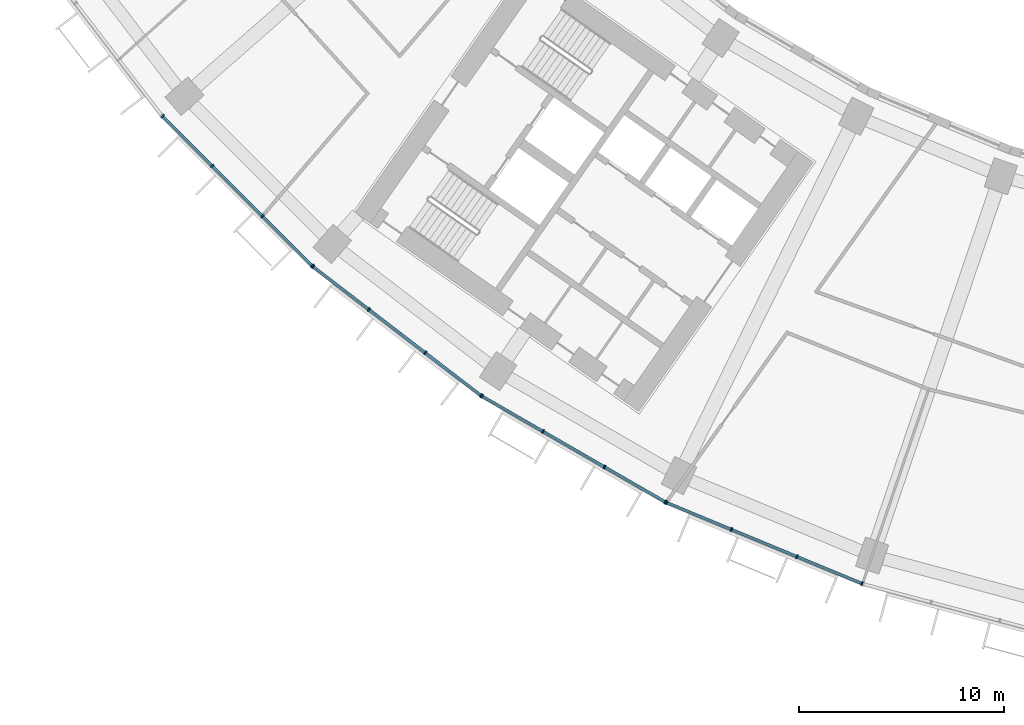
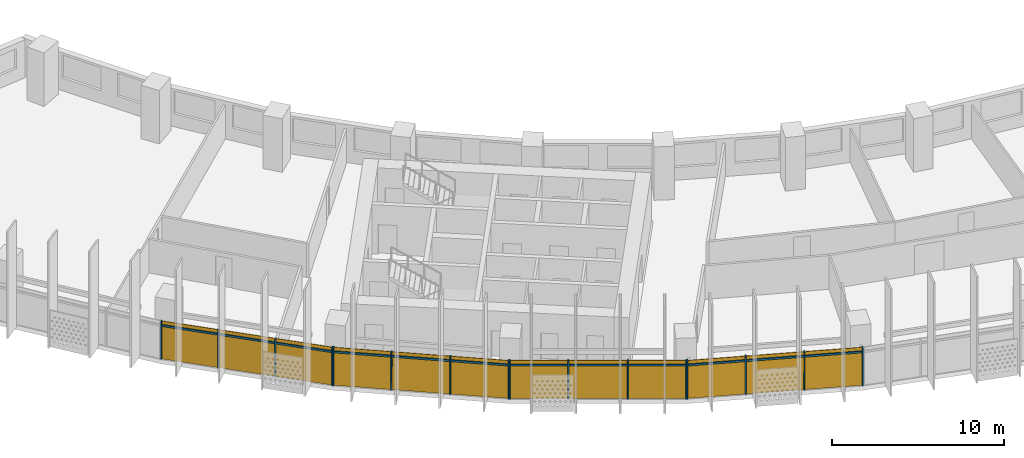
# One storey, part 19 of 30: 28 members, 4 curtain walls.
"""IFC4 building model written with IfcOpenShell, lengths in metres."""

from ifc_helpers import new_model, si_unit, direction, frame, origin, origin_2d, place, context, subcontext, project, spatial, rectangle, extrude, material, material_profile, profile_set, type_object, element, aggregate, save


model = new_model("IFC4")

# Units and contexts
model_context = context("Model", 3, precision=1e-05, world=origin(), true_north=direction((0.0, 1.0)))
body_context = subcontext(model_context, "Body", "Model", "MODEL_VIEW")
ifc_project = project(units=[si_unit("LENGTHUNIT", "METRE"), si_unit("AREAUNIT", "SQUARE_METRE"), si_unit("VOLUMEUNIT", "CUBIC_METRE"), si_unit("PLANEANGLEUNIT", "RADIAN"), si_unit("MASSUNIT", "GRAM", prefix="KILO")], contexts=[model_context])

# Member
ifc_material = material(Name="Aluminium 6063-T6 anodised", Category="aluminium")
ifc_material_profile_1 = material_profile(ifc_material, rectangle(XDim=0.199951171875, YDim=0.070068359375, at=origin_2d()))
ifc_profile_set_1 = profile_set([ifc_material_profile_1], Name="Aluminium 6063-T6 anodised")
member_type_1 = type_object("IfcMemberType", Name="Mullion 70 x 200 aluminium", PredefinedType="MULLION", material=ifc_profile_set_1)
site_placement = place(None, origin())
building_placement = place(site_placement, origin())
storey_placement = place(building_placement, frame((0.0, 0.0, 125.300048828125)))
member_1_placement = place(storey_placement, frame((-59.525390625, -52.240234375, 0.0), z_axis=(0.0, 0.0, 1.0), x_axis=(0.707106781187, 0.707106781187, 0.0)))
member_1 = element("IfcMember", 1, at=member_1_placement, type_object=member_type_1, Name="e-cw1-L28-out03/M00", PredefinedType="MULLION", context=body_context, shape_type="SweptSolid", body=[
    extrude(rectangle(XDim=0.199951171875, YDim=0.070068359375, at=origin_2d()), origin(), (0.0, 0.0, 1.0), 2.699951171875),
])

member_2_placement = place(storey_placement, frame((-57.105224609375, -54.660400390625, 0.0), z_axis=(0.0, 0.0, 1.0), x_axis=(0.707106781187, 0.707106781187, 0.0)))
member_2 = element("IfcMember", 2, at=member_2_placement, type_object=member_type_1, Name="e-cw1-L28-out03/M01", PredefinedType="MULLION", context=body_context, shape_type="SweptSolid", body=[
    extrude(rectangle(XDim=0.199951171875, YDim=0.070068359375, at=origin_2d()), origin(), (0.0, 0.0, 1.0), 2.699951171875),
])

member_3_placement = place(storey_placement, frame((-54.660400390625, -57.105224609375, 0.0), z_axis=(0.0, 0.0, 1.0), x_axis=(0.707106781187, 0.707106781187, 0.0)))
member_3 = element("IfcMember", 3, at=member_3_placement, type_object=member_type_1, Name="e-cw1-L28-out03/M02", PredefinedType="MULLION", context=body_context, shape_type="SweptSolid", body=[
    extrude(rectangle(XDim=0.199951171875, YDim=0.070068359375, at=origin_2d()), origin(), (0.0, 0.0, 1.0), 2.699951171875),
])

member_4_placement = place(storey_placement, frame((-52.240234375, -59.525390625, 0.0), z_axis=(0.0, 0.0, 1.0), x_axis=(0.707106781187, 0.707106781187, 0.0)))
member_4 = element("IfcMember", 4, at=member_4_placement, type_object=member_type_1, Name="e-cw1-L28-out03/M03", PredefinedType="MULLION", context=body_context, shape_type="SweptSolid", body=[
    extrude(rectangle(XDim=0.199951171875, YDim=0.070068359375, at=origin_2d()), origin(), (0.0, 0.0, 1.0), 2.699951171875),
])

member_5_placement = place(storey_placement, frame((-52.197509765625, -59.56298828125, 0.0), z_axis=(0.0, 0.0, 1.0), x_axis=(0.608761429009, 0.793353340291, 0.0)))
member_5 = element("IfcMember", 5, at=member_5_placement, type_object=member_type_1, Name="e-cw1-L28-out04/M00", PredefinedType="MULLION", context=body_context, shape_type="SweptSolid", body=[
    extrude(rectangle(XDim=0.199951171875, YDim=0.070068359375, at=origin_2d()), origin(), (0.0, 0.0, 1.0), 2.699951171875),
])

member_6_placement = place(storey_placement, frame((-49.482177734375, -61.646484375, 0.0), z_axis=(0.0, 0.0, 1.0), x_axis=(0.608761429009, 0.793353340291, 0.0)))
member_6 = element("IfcMember", 6, at=member_6_placement, type_object=member_type_1, Name="e-cw1-L28-out04/M01", PredefinedType="MULLION", context=body_context, shape_type="SweptSolid", body=[
    extrude(rectangle(XDim=0.199951171875, YDim=0.070068359375, at=origin_2d()), origin(), (0.0, 0.0, 1.0), 2.699951171875),
])

member_7_placement = place(storey_placement, frame((-46.739013671875, -63.751220703125, 0.0), z_axis=(0.0, 0.0, 1.0), x_axis=(0.608761429009, 0.793353340291, 0.0)))
member_7 = element("IfcMember", 7, at=member_7_placement, type_object=member_type_1, Name="e-cw1-L28-out04/M02", PredefinedType="MULLION", context=body_context, shape_type="SweptSolid", body=[
    extrude(rectangle(XDim=0.199951171875, YDim=0.070068359375, at=origin_2d()), origin(), (0.0, 0.0, 1.0), 2.699951171875),
])

member_8_placement = place(storey_placement, frame((-44.023681640625, -65.8349609375, 0.0), z_axis=(0.0, 0.0, 1.0), x_axis=(0.608761429009, 0.793353340291, 0.0)))
member_8 = element("IfcMember", 8, at=member_8_placement, type_object=member_type_1, Name="e-cw1-L28-out04/M03", PredefinedType="MULLION", context=body_context, shape_type="SweptSolid", body=[
    extrude(rectangle(XDim=0.199951171875, YDim=0.070068359375, at=origin_2d()), origin(), (0.0, 0.0, 1.0), 2.699951171875),
])

member_9_placement = place(storey_placement, frame((-43.976318359375, -65.866455078125, 0.0), z_axis=(0.0, 0.0, 1.0), x_axis=(0.5, 0.866025403784, 0.0)))
member_9 = element("IfcMember", 9, at=member_9_placement, type_object=member_type_1, Name="e-cw1-L28-out05/M00", PredefinedType="MULLION", context=body_context, shape_type="SweptSolid", body=[
    extrude(rectangle(XDim=0.199951171875, YDim=0.070068359375, at=origin_2d()), origin(), (0.0, 0.0, 1.0), 2.699951171875),
])

member_10_placement = place(storey_placement, frame((-41.01220703125, -67.577880859375, 0.0), z_axis=(0.0, 0.0, 1.0), x_axis=(0.5, 0.866025403784, 0.0)))
member_10 = element("IfcMember", 10, at=member_10_placement, type_object=member_type_1, Name="e-cw1-L28-out05/M01", PredefinedType="MULLION", context=body_context, shape_type="SweptSolid", body=[
    extrude(rectangle(XDim=0.199951171875, YDim=0.070068359375, at=origin_2d()), origin(), (0.0, 0.0, 1.0), 2.699951171875),
])

member_11_placement = place(storey_placement, frame((-38.017822265625, -69.306640625, 0.0), z_axis=(0.0, 0.0, 1.0), x_axis=(0.5, 0.866025403784, 0.0)))
member_11 = element("IfcMember", 11, at=member_11_placement, type_object=member_type_1, Name="e-cw1-L28-out05/M02", PredefinedType="MULLION", context=body_context, shape_type="SweptSolid", body=[
    extrude(rectangle(XDim=0.199951171875, YDim=0.070068359375, at=origin_2d()), origin(), (0.0, 0.0, 1.0), 2.699951171875),
])

member_12_placement = place(storey_placement, frame((-35.0537109375, -71.017822265625, 0.0), z_axis=(0.0, 0.0, 1.0), x_axis=(0.5, 0.866025403784, 0.0)))
member_12 = element("IfcMember", 12, at=member_12_placement, type_object=member_type_1, Name="e-cw1-L28-out05/M03", PredefinedType="MULLION", context=body_context, shape_type="SweptSolid", body=[
    extrude(rectangle(XDim=0.199951171875, YDim=0.070068359375, at=origin_2d()), origin(), (0.0, 0.0, 1.0), 2.699951171875),
])

member_13_placement = place(storey_placement, frame((-35.0029296875, -71.04296875, 0.0), z_axis=(0.0, 0.0, 1.0), x_axis=(0.382683432365, 0.923879532511, 0.0)))
member_13 = element("IfcMember", 13, at=member_13_placement, type_object=member_type_1, Name="e-cw1-L28-out06/M00", PredefinedType="MULLION", context=body_context, shape_type="SweptSolid", body=[
    extrude(rectangle(XDim=0.199951171875, YDim=0.070068359375, at=origin_2d()), origin(), (0.0, 0.0, 1.0), 2.699951171875),
])

member_14_placement = place(storey_placement, frame((-31.8408203125, -72.352783203125, 0.0), z_axis=(0.0, 0.0, 1.0), x_axis=(0.382683432365, 0.923879532511, 0.0)))
member_14 = element("IfcMember", 14, at=member_14_placement, type_object=member_type_1, Name="e-cw1-L28-out06/M01", PredefinedType="MULLION", context=body_context, shape_type="SweptSolid", body=[
    extrude(rectangle(XDim=0.199951171875, YDim=0.070068359375, at=origin_2d()), origin(), (0.0, 0.0, 1.0), 2.699951171875),
])

member_15_placement = place(storey_placement, frame((-28.646240234375, -73.676025390625, 0.0), z_axis=(0.0, 0.0, 1.0), x_axis=(0.382683432365, 0.923879532511, 0.0)))
member_15 = element("IfcMember", 15, at=member_15_placement, type_object=member_type_1, Name="e-cw1-L28-out06/M02", PredefinedType="MULLION", context=body_context, shape_type="SweptSolid", body=[
    extrude(rectangle(XDim=0.199951171875, YDim=0.070068359375, at=origin_2d()), origin(), (0.0, 0.0, 1.0), 2.699951171875),
])

member_16_placement = place(storey_placement, frame((-25.484130859375, -74.98583984375, 0.0), z_axis=(0.0, 0.0, 1.0), x_axis=(0.382683432365, 0.923879532511, 0.0)))
member_16 = element("IfcMember", 16, at=member_16_placement, type_object=member_type_1, Name="e-cw1-L28-out06/M03", PredefinedType="MULLION", context=body_context, shape_type="SweptSolid", body=[
    extrude(rectangle(XDim=0.199951171875, YDim=0.070068359375, at=origin_2d()), origin(), (0.0, 0.0, 1.0), 2.699951171875),
])

ifc_material_profile_2 = material_profile(ifc_material, rectangle(XDim=0.139892578125, YDim=0.1201171875, at=origin_2d()))
ifc_profile_set_2 = profile_set([ifc_material_profile_2], Name="Aluminium 6063-T6 anodised")
member_type_2 = type_object("IfcMemberType", Name="Transom 120 x 140 aluminium", PredefinedType="USERDEFINED", material=ifc_profile_set_2)
member_17_placement = place(storey_placement, frame((-59.500732421875, -52.264892578125, 2.39990234375), z_axis=(0.707106781187, -0.707106781187, 0.0), x_axis=(0.707106781187, 0.707106781187, 0.0)))
member_17 = element("IfcMember", 17, at=member_17_placement, type_object=member_type_2, Name="e-cw1-L28-out03/T00", ObjectType="TRANSOM", PredefinedType="USERDEFINED", context=body_context, shape_type="SweptSolid", body=[
    extrude(rectangle(XDim=0.139892578125, YDim=0.1201171875, at=origin_2d()), origin(), (0.0, 0.0, 1.0), 3.3525390625),
])

member_18_placement = place(storey_placement, frame((-57.08056640625, -54.68505859375, 2.39990234375), z_axis=(0.707106781187, -0.707106781187, 0.0), x_axis=(0.707106781187, 0.707106781187, 0.0)))
member_18 = element("IfcMember", 18, at=member_18_placement, type_object=member_type_2, Name="e-cw1-L28-out03/T01", ObjectType="TRANSOM", PredefinedType="USERDEFINED", context=body_context, shape_type="SweptSolid", body=[
    extrude(rectangle(XDim=0.139892578125, YDim=0.1201171875, at=origin_2d()), origin(), (0.0, 0.0, 1.0), 3.3876953125),
])

member_19_placement = place(storey_placement, frame((-54.635498046875, -57.130126953125, 2.39990234375), z_axis=(0.707106781187, -0.707106781187, 0.0), x_axis=(0.707106781187, 0.707106781187, 0.0)))
member_19 = element("IfcMember", 19, at=member_19_placement, type_object=member_type_2, Name="e-cw1-L28-out03/T02", ObjectType="TRANSOM", PredefinedType="USERDEFINED", context=body_context, shape_type="SweptSolid", body=[
    extrude(rectangle(XDim=0.139892578125, YDim=0.1201171875, at=origin_2d()), origin(), (0.0, 0.0, 1.0), 3.3525390625),
])

member_20_placement = place(storey_placement, frame((-52.169677734375, -59.584228515625, 2.39990234375), z_axis=(0.793354308621, -0.608760167055, 0.0), x_axis=(0.608760167055, 0.793354308621, 0.0)))
member_20 = element("IfcMember", 20, at=member_20_placement, type_object=member_type_2, Name="e-cw1-L28-out04/T00", ObjectType="TRANSOM", PredefinedType="USERDEFINED", context=body_context, shape_type="SweptSolid", body=[
    extrude(rectangle(XDim=0.139892578125, YDim=0.1201171875, at=origin_2d()), origin(), (0.0, 0.0, 1.0), 3.352783203125),
])

member_21_placement = place(storey_placement, frame((-49.454345703125, -61.667724609375, 2.39990234375), z_axis=(0.793344133173, -0.608773427772, 0.0), x_axis=(0.608773427772, 0.793344133173, 0.0)))
member_21 = element("IfcMember", 21, at=member_21_placement, type_object=member_type_2, Name="e-cw1-L28-out04/T01", ObjectType="TRANSOM", PredefinedType="USERDEFINED", context=body_context, shape_type="SweptSolid", body=[
    extrude(rectangle(XDim=0.139892578125, YDim=0.1201171875, at=origin_2d()), origin(), (0.0, 0.0, 1.0), 3.387451171875),
])

member_22_placement = place(storey_placement, frame((-46.711181640625, -63.772705078125, 2.39990234375), z_axis=(0.793389477316, -0.608714331426, 0.0), x_axis=(0.608714331426, 0.793389477316, 0.0)))
member_22 = element("IfcMember", 22, at=member_22_placement, type_object=member_type_2, Name="e-cw1-L28-out04/T02", ObjectType="TRANSOM", PredefinedType="USERDEFINED", context=body_context, shape_type="SweptSolid", body=[
    extrude(rectangle(XDim=0.139892578125, YDim=0.1201171875, at=origin_2d()), origin(), (0.0, 0.0, 1.0), 3.3525390625),
])

member_23_placement = place(storey_placement, frame((-43.946044921875, -65.884033203125, 2.39990234375), z_axis=(0.866020654818, -0.50000822536, 0.0), x_axis=(0.50000822536, 0.866020654818, 0.0)))
member_23 = element("IfcMember", 23, at=member_23_placement, type_object=member_type_2, Name="e-cw1-L28-out05/T00", ObjectType="TRANSOM", PredefinedType="USERDEFINED", context=body_context, shape_type="SweptSolid", body=[
    extrude(rectangle(XDim=0.139892578125, YDim=0.1201171875, at=origin_2d()), origin(), (0.0, 0.0, 1.0), 3.3525390625),
])

member_24_placement = place(storey_placement, frame((-40.98193359375, -67.59521484375, 2.39990234375), z_axis=(0.866025971257, -0.499999017107, 0.0), x_axis=(0.499999017107, 0.866025971257, 0.0)))
member_24 = element("IfcMember", 24, at=member_24_placement, type_object=member_type_2, Name="e-cw1-L28-out05/T01", ObjectType="TRANSOM", PredefinedType="USERDEFINED", context=body_context, shape_type="SweptSolid", body=[
    extrude(rectangle(XDim=0.139892578125, YDim=0.1201171875, at=origin_2d()), origin(), (0.0, 0.0, 1.0), 3.3876953125),
])

member_25_placement = place(storey_placement, frame((-37.987548828125, -69.323974609375, 2.39990234375), z_axis=(0.865989120267, -0.50006283963, 0.0), x_axis=(0.50006283963, 0.865989120267, 0.0)))
member_25 = element("IfcMember", 25, at=member_25_placement, type_object=member_type_2, Name="e-cw1-L28-out05/T02", ObjectType="TRANSOM", PredefinedType="USERDEFINED", context=body_context, shape_type="SweptSolid", body=[
    extrude(rectangle(XDim=0.139892578125, YDim=0.1201171875, at=origin_2d()), origin(), (0.0, 0.0, 1.0), 3.3525390625),
])

member_26_placement = place(storey_placement, frame((-34.970458984375, -71.056396484375, 2.39990234375), z_axis=(0.923882814237, -0.382675509483, 0.0), x_axis=(0.382675509483, 0.923882814237, 0.0)))
member_26 = element("IfcMember", 26, at=member_26_placement, type_object=member_type_2, Name="e-cw1-L28-out06/T00", ObjectType="TRANSOM", PredefinedType="USERDEFINED", context=body_context, shape_type="SweptSolid", body=[
    extrude(rectangle(XDim=0.139892578125, YDim=0.1201171875, at=origin_2d()), origin(), (0.0, 0.0, 1.0), 3.3525390625),
])

member_27_placement = place(storey_placement, frame((-31.808349609375, -72.3662109375, 2.39990234375), z_axis=(0.923874529423, -0.382695510666, 0.0), x_axis=(0.382695510666, 0.923874529423, 0.0)))
member_27 = element("IfcMember", 27, at=member_27_placement, type_object=member_type_2, Name="e-cw1-L28-out06/T01", ObjectType="TRANSOM", PredefinedType="USERDEFINED", context=body_context, shape_type="SweptSolid", body=[
    extrude(rectangle(XDim=0.139892578125, YDim=0.1201171875, at=origin_2d()), origin(), (0.0, 0.0, 1.0), 3.387451171875),
])

member_28_placement = place(storey_placement, frame((-28.614013671875, -73.689453125, 2.39990234375), z_axis=(0.923882814237, -0.382675509483, 0.0), x_axis=(0.382675509483, 0.923882814237, 0.0)))
member_28 = element("IfcMember", 28, at=member_28_placement, type_object=member_type_2, Name="e-cw1-L28-out06/T02", ObjectType="TRANSOM", PredefinedType="USERDEFINED", context=body_context, shape_type="SweptSolid", body=[
    extrude(rectangle(XDim=0.139892578125, YDim=0.1201171875, at=origin_2d()), origin(), (0.0, 0.0, 1.0), 3.3525390625),
])

# Site, building, storey
site = spatial("IfcSite", under=ifc_project, at=site_placement, CompositionType="ELEMENT")
building = spatial("IfcBuilding", under=site, at=building_placement, Name="Qamariyya Broadcast Tower", CompositionType="ELEMENT")
storey = spatial("IfcBuildingStorey", under=building, at=storey_placement, Name="L28", CompositionType="ELEMENT", Elevation=125.300048828125)

# Curtain wall
curtain_wall_type = type_object("IfcCurtainWallType", Name="Unitised curtain wall, anodised aluminium", PredefinedType="NOTDEFINED", material=ifc_material)
curtain_wall_1_placement = place(storey_placement, origin())
curtain_wall_1 = element("IfcCurtainWall", 29, at=curtain_wall_1_placement, inside=storey, type_object=curtain_wall_type, Name="e-cw1-L28-out03", PredefinedType="NOTDEFINED", context=body_context, shape_type="SweptSolid", body=[
    extrude(rectangle(XDim=3.352783203125, YDim=0.031982421875, at=origin_2d()), frame((-58.3154296875, -53.4501953125, 0.0), x_axis=(0.707106781187, -0.707106781187, 0.0)), (0.0, 0.0, 1.0), 2.340087890625),
    extrude(rectangle(XDim=3.352783203125, YDim=0.031982421875, at=origin_2d()), frame((-58.3154296875, -53.4501953125, 2.4599609375), x_axis=(0.707106781187, -0.707106781187, 0.0)), (0.0, 0.0, 1.0), 0.239990234375),
    extrude(rectangle(XDim=3.3876953125, YDim=0.031982421875, at=origin_2d()), frame((-55.8828125, -55.8828125, 0.0), x_axis=(0.707106781187, -0.707106781187, 0.0)), (0.0, 0.0, 1.0), 2.340087890625),
    extrude(rectangle(XDim=3.3876953125, YDim=0.031982421875, at=origin_2d()), frame((-55.8828125, -55.8828125, 2.4599609375), x_axis=(0.707106781187, -0.707106781187, 0.0)), (0.0, 0.0, 1.0), 0.239990234375),
    extrude(rectangle(XDim=3.352783203125, YDim=0.031982421875, at=origin_2d()), frame((-53.4501953125, -58.3154296875, 0.0), x_axis=(0.707106781187, -0.707106781187, 0.0)), (0.0, 0.0, 1.0), 2.340087890625),
    extrude(rectangle(XDim=3.352783203125, YDim=0.031982421875, at=origin_2d()), frame((-53.4501953125, -58.3154296875, 2.4599609375), x_axis=(0.707106781187, -0.707106781187, 0.0)), (0.0, 0.0, 1.0), 0.239990234375),
])

aggregate(curtain_wall_1, [member_1, member_2, member_3, member_4, member_17, member_18, member_19])

curtain_wall_2_placement = place(storey_placement, origin())
curtain_wall_2 = element("IfcCurtainWall", 30, at=curtain_wall_2_placement, inside=storey, type_object=curtain_wall_type, Name="e-cw1-L28-out04", PredefinedType="NOTDEFINED", context=body_context, shape_type="SweptSolid", body=[
    extrude(rectangle(XDim=3.352783203125, YDim=0.031982421875, at=origin_2d()), frame((-50.83984375, -60.6044921875, 0.0), x_axis=(0.793354000839, -0.608760568165, 0.0)), (0.0, 0.0, 1.0), 2.340087890625),
    extrude(rectangle(XDim=3.352783203125, YDim=0.031982421875, at=origin_2d()), frame((-50.83984375, -60.6044921875, 2.4599609375), x_axis=(0.793354000839, -0.608760568165, 0.0)), (0.0, 0.0, 1.0), 0.239990234375),
    extrude(rectangle(XDim=3.3876953125, YDim=0.031982421875, at=origin_2d()), frame((-48.110595703125, -62.69873046875, 0.0), x_axis=(0.793354000839, -0.608760568165, 0.0)), (0.0, 0.0, 1.0), 2.340087890625),
    extrude(rectangle(XDim=3.3876953125, YDim=0.031982421875, at=origin_2d()), frame((-48.110595703125, -62.69873046875, 2.4599609375), x_axis=(0.793354000839, -0.608760568165, 0.0)), (0.0, 0.0, 1.0), 0.239990234375),
    extrude(rectangle(XDim=3.352783203125, YDim=0.031982421875, at=origin_2d()), frame((-45.38134765625, -64.793212890625, 0.0), x_axis=(0.793354000839, -0.608760568165, 0.0)), (0.0, 0.0, 1.0), 2.340087890625),
    extrude(rectangle(XDim=3.352783203125, YDim=0.031982421875, at=origin_2d()), frame((-45.38134765625, -64.793212890625, 2.4599609375), x_axis=(0.793354000839, -0.608760568165, 0.0)), (0.0, 0.0, 1.0), 0.239990234375),
])

aggregate(curtain_wall_2, [member_5, member_6, member_7, member_8, member_20, member_21, member_22])

curtain_wall_3_placement = place(storey_placement, origin())
curtain_wall_3 = element("IfcCurtainWall", 31, at=curtain_wall_3_placement, inside=storey, type_object=curtain_wall_type, Name="e-cw1-L28-out05", PredefinedType="NOTDEFINED", context=body_context, shape_type="SweptSolid", body=[
    extrude(rectangle(XDim=3.352783203125, YDim=0.031982421875, at=origin_2d()), frame((-42.494384765625, -66.72216796875, 0.0), x_axis=(0.866027243369, -0.499996813733, 0.0)), (0.0, 0.0, 1.0), 2.340087890625),
    extrude(rectangle(XDim=3.352783203125, YDim=0.031982421875, at=origin_2d()), frame((-42.494384765625, -66.72216796875, 2.4599609375), x_axis=(0.866027243369, -0.499996813733, 0.0)), (0.0, 0.0, 1.0), 0.239990234375),
    extrude(rectangle(XDim=3.3876953125, YDim=0.031982421875, at=origin_2d()), frame((-39.51513671875, -68.442138671875, 0.0), x_axis=(0.866027243369, -0.499996813733, 0.0)), (0.0, 0.0, 1.0), 2.340087890625),
    extrude(rectangle(XDim=3.3876953125, YDim=0.031982421875, at=origin_2d()), frame((-39.51513671875, -68.442138671875, 2.4599609375), x_axis=(0.866027243369, -0.499996813733, 0.0)), (0.0, 0.0, 1.0), 0.239990234375),
    extrude(rectangle(XDim=3.352783203125, YDim=0.031982421875, at=origin_2d()), frame((-36.535888671875, -70.162109375, 0.0), x_axis=(0.866027243369, -0.499996813733, 0.0)), (0.0, 0.0, 1.0), 2.340087890625),
    extrude(rectangle(XDim=3.352783203125, YDim=0.031982421875, at=origin_2d()), frame((-36.535888671875, -70.162109375, 2.4599609375), x_axis=(0.866027243369, -0.499996813733, 0.0)), (0.0, 0.0, 1.0), 0.239990234375),
])

aggregate(curtain_wall_3, [member_9, member_10, member_11, member_12, member_23, member_24, member_25])

curtain_wall_4_placement = place(storey_placement, origin())
curtain_wall_4 = element("IfcCurtainWall", 32, at=curtain_wall_4_placement, inside=storey, type_object=curtain_wall_type, Name="e-cw1-L28-out06", PredefinedType="NOTDEFINED", context=body_context, shape_type="SweptSolid", body=[
    extrude(rectangle(XDim=3.3525390625, YDim=0.031982421875, at=origin_2d()), frame((-33.421875, -71.69775390625, 0.0), x_axis=(0.923872250857, -0.382701011361, 0.0)), (0.0, 0.0, 1.0), 2.340087890625),
    extrude(rectangle(XDim=3.3525390625, YDim=0.031982421875, at=origin_2d()), frame((-33.421875, -71.69775390625, 2.4599609375), x_axis=(0.923872250857, -0.382701011361, 0.0)), (0.0, 0.0, 1.0), 0.239990234375),
    extrude(rectangle(XDim=3.3876953125, YDim=0.031982421875, at=origin_2d()), frame((-30.24365234375, -73.014404296875, 0.0), x_axis=(0.923872250857, -0.382701011361, 0.0)), (0.0, 0.0, 1.0), 2.340087890625),
    extrude(rectangle(XDim=3.3876953125, YDim=0.031982421875, at=origin_2d()), frame((-30.24365234375, -73.014404296875, 2.4599609375), x_axis=(0.923872250857, -0.382701011361, 0.0)), (0.0, 0.0, 1.0), 0.239990234375),
    extrude(rectangle(XDim=3.3525390625, YDim=0.031982421875, at=origin_2d()), frame((-27.065185546875, -74.3310546875, 0.0), x_axis=(0.923872250857, -0.382701011361, 0.0)), (0.0, 0.0, 1.0), 2.340087890625),
    extrude(rectangle(XDim=3.3525390625, YDim=0.031982421875, at=origin_2d()), frame((-27.065185546875, -74.3310546875, 2.4599609375), x_axis=(0.923872250857, -0.382701011361, 0.0)), (0.0, 0.0, 1.0), 0.239990234375),
])

aggregate(curtain_wall_4, [member_13, member_14, member_15, member_16, member_26, member_27, member_28])

save(model, "model.ifc")
